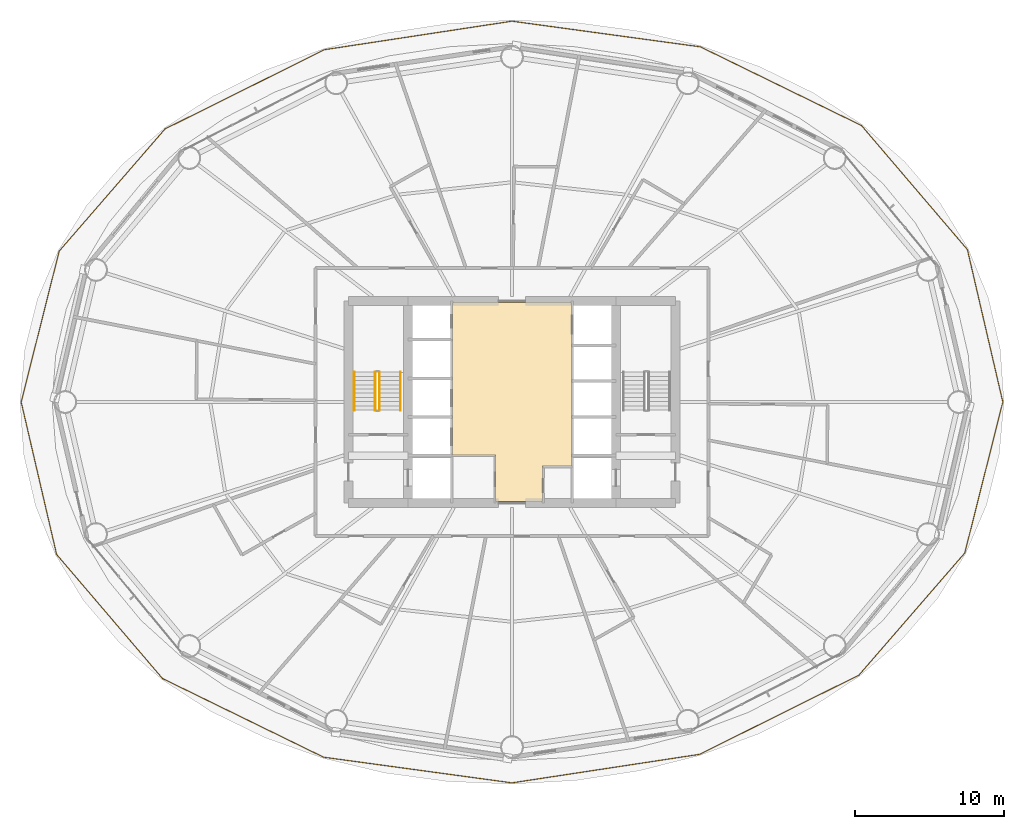
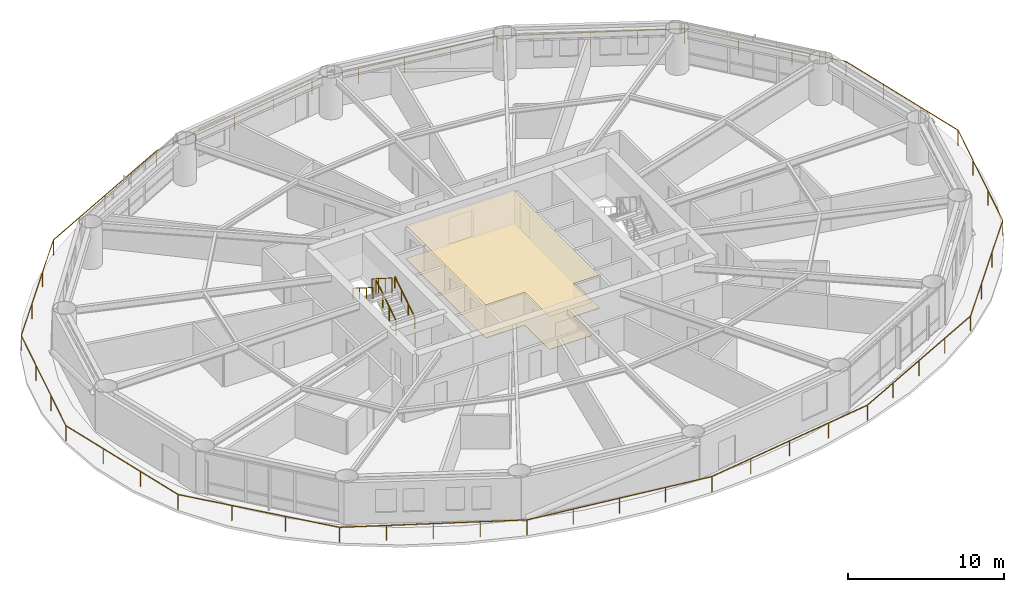
# One storey, part 26 of 27: 5 railings, 2 coverings.
"""IFC4 building model written with IfcOpenShell, lengths in metres."""

from ifc_helpers import new_model, si_unit, direction, frame, origin, origin_2d, place, context, subcontext, project, spatial, polyline, rectangle, outline, extrude, material, layer, layer_set, type_object, element, save


model = new_model("IFC4")

# Units and contexts
model_context = context("Model", 3, precision=1e-05, world=origin(), true_north=direction((0.0, 1.0)))
body_context = subcontext(model_context, "Body", "Model", "MODEL_VIEW")
ifc_project = project(units=[si_unit("LENGTHUNIT", "METRE"), si_unit("AREAUNIT", "SQUARE_METRE"), si_unit("VOLUMEUNIT", "CUBIC_METRE"), si_unit("PLANEANGLEUNIT", "RADIAN"), si_unit("MASSUNIT", "GRAM", prefix="KILO")], contexts=[model_context])

# Site, building, storey
site_placement = place(None, origin())
site = spatial("IfcSite", under=ifc_project, at=site_placement, CompositionType="ELEMENT")
building_placement = place(site_placement, origin())
building = spatial("IfcBuilding", under=site, at=building_placement, Name="Sarneth Arch Tower", CompositionType="ELEMENT")
storey_placement = place(building_placement, frame((0.0, 0.0, 75.0)))
storey = spatial("IfcBuildingStorey", under=building, at=storey_placement, Name="L18", CompositionType="ELEMENT", Elevation=75.0)

# Coverings
ifc_material_1 = material(Name="Perforated acoustic gypsum ceiling board")
ifc_layer_1 = layer(ifc_material_1, 0.02490234375)
ifc_layer_set_1 = layer_set([ifc_layer_1], Name="Perforated acoustic gypsum ceiling board")
covering_type_1 = type_object("IfcCoveringType", Name="COV-CEIL-GYP", PredefinedType="CEILING", material=ifc_layer_set_1)
covering_1_placement = place(storey_placement, frame((0.0, 0.0, 2.580078125)))
element("IfcCovering", 1, at=covering_1_placement, inside=storey, type_object=covering_type_1, Name="L18 Lift lobby acoustic ceiling", PredefinedType="CEILING", context=body_context, shape_type="SweptSolid", body=[
    extrude(outline(polyline([(52.0, 37.699951171875), (50.050048828125, 37.699951171875), (50.050048828125, 35.300048828125), (46.89990234375, 35.300048828125), (46.89990234375, 38.449951171875), (44.0, 38.449951171875), (44.0, 48.699951171875), (52.0, 48.699951171875), (52.0, 37.699951171875)])), origin(), (0.0, 0.0, 1.0), 0.030029296875),
])
ifc_material_2 = material(Name="Honed granite stone flooring", Category="masonry")
ifc_layer_2 = layer(ifc_material_2, 0.030029296875)
ifc_layer_set_2 = layer_set([ifc_layer_2], Name="Honed granite stone flooring")
covering_type_2 = type_object("IfcCoveringType", Name="COV-FLR-STONE", PredefinedType="FLOORING", material=ifc_layer_set_2)
covering_2_placement = place(storey_placement, origin())
element("IfcCovering", 2, at=covering_2_placement, inside=storey, type_object=covering_type_2, Name="L18 Lift lobby granite flooring", PredefinedType="FLOORING", context=body_context, shape_type="SweptSolid", body=[
    extrude(outline(polyline([(52.0, 37.699951171875), (50.050048828125, 37.699951171875), (50.050048828125, 35.300048828125), (46.89990234375, 35.300048828125), (46.89990234375, 38.449951171875), (44.0, 38.449951171875), (44.0, 48.699951171875), (52.0, 48.699951171875), (52.0, 37.699951171875)])), origin(), (0.0, 0.0, 1.0), 0.030029296875),
])

# Railings
ifc_material_3 = material(Name="Laminated structural glass infill with Stainless Steel 316 top rail and posts", Category="steel")
railing_type_1 = type_object("IfcRailingType", Name="RAIL-BALC-1200", PredefinedType="BALUSTRADE", material=ifc_material_3)
railing_1_placement = place(storey_placement, frame((80.996826171875, 42.0, 0.0)))
element("IfcRailing", 3, at=railing_1_placement, inside=storey, type_object=railing_type_1, Name="L18 Helical balcony glass balustrade", PredefinedType="BALUSTRADE", context=body_context, shape_type="SweptSolid", body=[
    extrude(rectangle(XDim=0.048095703125, YDim=0.048095703125, at=origin_2d()), frame((0.0, 0.0, 1.17578125), z_axis=(-0.226316877561, 0.974053731029, 0.0), x_axis=(-0.974053731029, -0.226316877561, 0.0)), (0.0, 0.0, 1.0), 10.52001953125),
    extrude(rectangle(XDim=0.048095703125, YDim=0.048095703125, at=origin_2d()), frame((-2.380859375, 10.2470703125, 1.17578125), z_axis=(-0.649307283669, 0.760526167449, 0.0), x_axis=(-0.760526167449, -0.649307283669, 0.0)), (0.0, 0.0, 1.0), 10.968994140625),
    extrude(rectangle(XDim=0.048095703125, YDim=0.048095703125, at=origin_2d()), frame((-9.503173828125, 18.58935546875, 1.17578125), z_axis=(-0.898542614375, 0.43888628385, 0.0), x_axis=(-0.43888628385, -0.898542614375, 0.0)), (0.0, 0.0, 1.0), 12.04833984375),
    extrude(rectangle(XDim=0.048095703125, YDim=0.048095703125, at=origin_2d()), frame((-20.3291015625, 23.877197265625, 1.17578125), z_axis=(-0.99084933183, 0.134972595783, 0.0), x_axis=(-0.134972595783, -0.99084933183, 0.0)), (0.0, 0.0, 1.0), 12.78466796875),
    extrude(rectangle(XDim=0.048095703125, YDim=0.048095703125, at=origin_2d()), frame((-32.996826171875, 25.602783203125, 1.17578125), z_axis=(-0.988628120376, -0.150380981517, 0.0), x_axis=(0.150380981517, -0.988628120376, 0.0)), (0.0, 0.0, 1.0), 12.75244140625),
    extrude(rectangle(XDim=0.048095703125, YDim=0.048095703125, at=origin_2d()), frame((-45.604248046875, 23.68505859375, 1.17578125), z_axis=(-0.895558861412, -0.444943058993, 0.0), x_axis=(0.444943058993, -0.895558861412, 0.0)), (0.0, 0.0, 1.0), 11.96435546875),
    extrude(rectangle(XDim=0.048095703125, YDim=0.048095703125, at=origin_2d()), frame((-56.319091796875, 18.361572265625, 1.17578125), z_axis=(-0.654921986006, -0.755696494795, 0.0), x_axis=(0.755696494795, -0.654921986006, 0.0)), (0.0, 0.0, 1.0), 10.867919921875),
    extrude(rectangle(XDim=0.048095703125, YDim=0.048095703125, at=origin_2d()), frame((-63.436767578125, 10.148681640625, 1.17578125), z_axis=(-0.244308104225, -0.969697659175, 0.0), x_axis=(0.969697659175, -0.244308104225, 0.0)), (0.0, 0.0, 1.0), 10.4658203125),
    extrude(rectangle(XDim=0.048095703125, YDim=0.048095703125, at=origin_2d()), frame((-65.99365234375, 0.0, 1.17578125), z_axis=(0.226316877561, -0.974053731029, 0.0), x_axis=(0.974053731029, 0.226316877561, 0.0)), (0.0, 0.0, 1.0), 10.52001953125),
    extrude(rectangle(XDim=0.048095703125, YDim=0.048095703125, at=origin_2d()), frame((-63.61279296875, -10.2470703125, 1.17578125), z_axis=(0.649307283669, -0.760526167449, 0.0), x_axis=(0.760526167449, 0.649307283669, 0.0)), (0.0, 0.0, 1.0), 10.968994140625),
    extrude(rectangle(XDim=0.048095703125, YDim=0.048095703125, at=origin_2d()), frame((-56.490478515625, -18.58935546875, 1.17578125), z_axis=(0.898542614375, -0.43888628385, 0.0), x_axis=(0.43888628385, 0.898542614375, 0.0)), (0.0, 0.0, 1.0), 12.04833984375),
    extrude(rectangle(XDim=0.048095703125, YDim=0.048095703125, at=origin_2d()), frame((-45.66455078125, -23.877197265625, 1.17578125), z_axis=(0.99084933183, -0.134972595783, 0.0), x_axis=(0.134972595783, 0.99084933183, 0.0)), (0.0, 0.0, 1.0), 12.78466796875),
    extrude(rectangle(XDim=0.048095703125, YDim=0.048095703125, at=origin_2d()), frame((-32.996826171875, -25.602783203125, 1.17578125), z_axis=(0.988628120376, 0.150380981517, 0.0), x_axis=(-0.150380981517, 0.988628120376, 0.0)), (0.0, 0.0, 1.0), 12.75244140625),
    extrude(rectangle(XDim=0.048095703125, YDim=0.048095703125, at=origin_2d()), frame((-20.389404296875, -23.68505859375, 1.17578125), z_axis=(0.895558861412, 0.444943058993, 0.0), x_axis=(-0.444943058993, 0.895558861412, 0.0)), (0.0, 0.0, 1.0), 11.96435546875),
    extrude(rectangle(XDim=0.048095703125, YDim=0.048095703125, at=origin_2d()), frame((-9.674560546875, -18.361572265625, 1.17578125), z_axis=(0.654921986006, 0.755696494795, 0.0), x_axis=(-0.755696494795, 0.654921986006, 0.0)), (0.0, 0.0, 1.0), 10.867919921875),
    extrude(rectangle(XDim=0.048095703125, YDim=0.048095703125, at=origin_2d()), frame((-2.556884765625, -10.148681640625, 1.17578125), z_axis=(0.244308104225, 0.969697659175, 0.0), x_axis=(-0.969697659175, 0.244308104225, 0.0)), (0.0, 0.0, 1.0), 10.4658203125),
    extrude(rectangle(XDim=0.0419921875, YDim=0.0419921875, at=origin_2d()), origin(), (0.0, 0.0, 1.0), 1.15185546875),
    extrude(rectangle(XDim=0.0419921875, YDim=0.0419921875, at=origin_2d()), frame((-0.793701171875, 3.415771484375, 0.0)), (0.0, 0.0, 1.0), 1.15185546875),
    extrude(rectangle(XDim=0.0419921875, YDim=0.0419921875, at=origin_2d()), frame((-1.587158203125, 6.831298828125, 0.0)), (0.0, 0.0, 1.0), 1.15185546875),
    extrude(rectangle(XDim=0.0419921875, YDim=0.0419921875, at=origin_2d()), frame((-2.380859375, 10.2470703125, 0.0)), (0.0, 0.0, 1.0), 1.15185546875),
    extrude(rectangle(XDim=0.0419921875, YDim=0.0419921875, at=origin_2d()), frame((-4.7548828125, 13.02783203125, 0.0)), (0.0, 0.0, 1.0), 1.15185546875),
    extrude(rectangle(XDim=0.0419921875, YDim=0.0419921875, at=origin_2d()), frame((-7.129150390625, 15.80859375, 0.0)), (0.0, 0.0, 1.0), 1.15185546875),
    extrude(rectangle(XDim=0.0419921875, YDim=0.0419921875, at=origin_2d()), frame((-9.503173828125, 18.58935546875, 0.0)), (0.0, 0.0, 1.0), 1.15185546875),
    extrude(rectangle(XDim=0.0419921875, YDim=0.0419921875, at=origin_2d()), frame((-12.209716796875, 19.911376953125, 0.0)), (0.0, 0.0, 1.0), 1.15185546875),
    extrude(rectangle(XDim=0.0419921875, YDim=0.0419921875, at=origin_2d()), frame((-14.916015625, 21.2333984375, 0.0)), (0.0, 0.0, 1.0), 1.15185546875),
    extrude(rectangle(XDim=0.0419921875, YDim=0.0419921875, at=origin_2d()), frame((-17.62255859375, 22.55517578125, 0.0)), (0.0, 0.0, 1.0), 1.15185546875),
    extrude(rectangle(XDim=0.0419921875, YDim=0.0419921875, at=origin_2d()), frame((-20.3291015625, 23.877197265625, 0.0)), (0.0, 0.0, 1.0), 1.15185546875),
    extrude(rectangle(XDim=0.0419921875, YDim=0.0419921875, at=origin_2d()), frame((-23.49609375, 24.30859375, 0.0)), (0.0, 0.0, 1.0), 1.15185546875),
    extrude(rectangle(XDim=0.0419921875, YDim=0.0419921875, at=origin_2d()), frame((-26.6630859375, 24.739990234375, 0.0)), (0.0, 0.0, 1.0), 1.15185546875),
    extrude(rectangle(XDim=0.0419921875, YDim=0.0419921875, at=origin_2d()), frame((-29.829833984375, 25.17138671875, 0.0)), (0.0, 0.0, 1.0), 1.15185546875),
    extrude(rectangle(XDim=0.0419921875, YDim=0.0419921875, at=origin_2d()), frame((-32.996826171875, 25.602783203125, 0.0)), (0.0, 0.0, 1.0), 1.15185546875),
    extrude(rectangle(XDim=0.0419921875, YDim=0.0419921875, at=origin_2d()), frame((-36.148681640625, 25.123291015625, 0.0)), (0.0, 0.0, 1.0), 1.15185546875),
    extrude(rectangle(XDim=0.0419921875, YDim=0.0419921875, at=origin_2d()), frame((-39.300537109375, 24.64404296875, 0.0)), (0.0, 0.0, 1.0), 1.15185546875),
    extrude(rectangle(XDim=0.0419921875, YDim=0.0419921875, at=origin_2d()), frame((-42.452392578125, 24.16455078125, 0.0)), (0.0, 0.0, 1.0), 1.15185546875),
    extrude(rectangle(XDim=0.0419921875, YDim=0.0419921875, at=origin_2d()), frame((-45.604248046875, 23.68505859375, 0.0)), (0.0, 0.0, 1.0), 1.15185546875),
    extrude(rectangle(XDim=0.0419921875, YDim=0.0419921875, at=origin_2d()), frame((-48.282958984375, 22.354248046875, 0.0)), (0.0, 0.0, 1.0), 1.15185546875),
    extrude(rectangle(XDim=0.0419921875, YDim=0.0419921875, at=origin_2d()), frame((-50.961669921875, 21.0234375, 0.0)), (0.0, 0.0, 1.0), 1.15185546875),
    extrude(rectangle(XDim=0.0419921875, YDim=0.0419921875, at=origin_2d()), frame((-53.640380859375, 19.6923828125, 0.0)), (0.0, 0.0, 1.0), 1.15185546875),
    extrude(rectangle(XDim=0.0419921875, YDim=0.0419921875, at=origin_2d()), frame((-56.319091796875, 18.361572265625, 0.0)), (0.0, 0.0, 1.0), 1.15185546875),
    extrude(rectangle(XDim=0.0419921875, YDim=0.0419921875, at=origin_2d()), frame((-58.691650390625, 15.6240234375, 0.0)), (0.0, 0.0, 1.0), 1.15185546875),
    extrude(rectangle(XDim=0.0419921875, YDim=0.0419921875, at=origin_2d()), frame((-61.064208984375, 12.88623046875, 0.0)), (0.0, 0.0, 1.0), 1.15185546875),
    extrude(rectangle(XDim=0.0419921875, YDim=0.0419921875, at=origin_2d()), frame((-63.436767578125, 10.148681640625, 0.0)), (0.0, 0.0, 1.0), 1.15185546875),
    extrude(rectangle(XDim=0.0419921875, YDim=0.0419921875, at=origin_2d()), frame((-64.2890625, 6.765869140625, 0.0)), (0.0, 0.0, 1.0), 1.15185546875),
    extrude(rectangle(XDim=0.0419921875, YDim=0.0419921875, at=origin_2d()), frame((-65.141357421875, 3.3828125, 0.0)), (0.0, 0.0, 1.0), 1.15185546875),
    extrude(rectangle(XDim=0.0419921875, YDim=0.0419921875, at=origin_2d()), frame((-65.99365234375, 0.0, 0.0)), (0.0, 0.0, 1.0), 1.15185546875),
    extrude(rectangle(XDim=0.0419921875, YDim=0.0419921875, at=origin_2d()), frame((-65.199951171875, -3.415771484375, 0.0)), (0.0, 0.0, 1.0), 1.15185546875),
    extrude(rectangle(XDim=0.0419921875, YDim=0.0419921875, at=origin_2d()), frame((-64.406494140625, -6.831298828125, 0.0)), (0.0, 0.0, 1.0), 1.15185546875),
    extrude(rectangle(XDim=0.0419921875, YDim=0.0419921875, at=origin_2d()), frame((-63.61279296875, -10.2470703125, 0.0)), (0.0, 0.0, 1.0), 1.15185546875),
    extrude(rectangle(XDim=0.0419921875, YDim=0.0419921875, at=origin_2d()), frame((-61.23876953125, -13.02783203125, 0.0)), (0.0, 0.0, 1.0), 1.15185546875),
    extrude(rectangle(XDim=0.0419921875, YDim=0.0419921875, at=origin_2d()), frame((-58.864501953125, -15.80859375, 0.0)), (0.0, 0.0, 1.0), 1.15185546875),
    extrude(rectangle(XDim=0.0419921875, YDim=0.0419921875, at=origin_2d()), frame((-56.490478515625, -18.58935546875, 0.0)), (0.0, 0.0, 1.0), 1.15185546875),
    extrude(rectangle(XDim=0.0419921875, YDim=0.0419921875, at=origin_2d()), frame((-53.783935546875, -19.911376953125, 0.0)), (0.0, 0.0, 1.0), 1.15185546875),
    extrude(rectangle(XDim=0.0419921875, YDim=0.0419921875, at=origin_2d()), frame((-51.07763671875, -21.2333984375, 0.0)), (0.0, 0.0, 1.0), 1.15185546875),
    extrude(rectangle(XDim=0.0419921875, YDim=0.0419921875, at=origin_2d()), frame((-48.37109375, -22.55517578125, 0.0)), (0.0, 0.0, 1.0), 1.15185546875),
    extrude(rectangle(XDim=0.0419921875, YDim=0.0419921875, at=origin_2d()), frame((-45.66455078125, -23.877197265625, 0.0)), (0.0, 0.0, 1.0), 1.15185546875),
    extrude(rectangle(XDim=0.0419921875, YDim=0.0419921875, at=origin_2d()), frame((-42.49755859375, -24.30859375, 0.0)), (0.0, 0.0, 1.0), 1.15185546875),
    extrude(rectangle(XDim=0.0419921875, YDim=0.0419921875, at=origin_2d()), frame((-39.33056640625, -24.739990234375, 0.0)), (0.0, 0.0, 1.0), 1.15185546875),
    extrude(rectangle(XDim=0.0419921875, YDim=0.0419921875, at=origin_2d()), frame((-36.163818359375, -25.17138671875, 0.0)), (0.0, 0.0, 1.0), 1.15185546875),
    extrude(rectangle(XDim=0.0419921875, YDim=0.0419921875, at=origin_2d()), frame((-32.996826171875, -25.602783203125, 0.0)), (0.0, 0.0, 1.0), 1.15185546875),
    extrude(rectangle(XDim=0.0419921875, YDim=0.0419921875, at=origin_2d()), frame((-29.844970703125, -25.123291015625, 0.0)), (0.0, 0.0, 1.0), 1.15185546875),
    extrude(rectangle(XDim=0.0419921875, YDim=0.0419921875, at=origin_2d()), frame((-26.693115234375, -24.64404296875, 0.0)), (0.0, 0.0, 1.0), 1.15185546875),
    extrude(rectangle(XDim=0.0419921875, YDim=0.0419921875, at=origin_2d()), frame((-23.541259765625, -24.16455078125, 0.0)), (0.0, 0.0, 1.0), 1.15185546875),
    extrude(rectangle(XDim=0.0419921875, YDim=0.0419921875, at=origin_2d()), frame((-20.389404296875, -23.68505859375, 0.0)), (0.0, 0.0, 1.0), 1.15185546875),
    extrude(rectangle(XDim=0.0419921875, YDim=0.0419921875, at=origin_2d()), frame((-17.710693359375, -22.354248046875, 0.0)), (0.0, 0.0, 1.0), 1.15185546875),
    extrude(rectangle(XDim=0.0419921875, YDim=0.0419921875, at=origin_2d()), frame((-15.031982421875, -21.0234375, 0.0)), (0.0, 0.0, 1.0), 1.15185546875),
    extrude(rectangle(XDim=0.0419921875, YDim=0.0419921875, at=origin_2d()), frame((-12.353271484375, -19.6923828125, 0.0)), (0.0, 0.0, 1.0), 1.15185546875),
    extrude(rectangle(XDim=0.0419921875, YDim=0.0419921875, at=origin_2d()), frame((-9.674560546875, -18.361572265625, 0.0)), (0.0, 0.0, 1.0), 1.15185546875),
    extrude(rectangle(XDim=0.0419921875, YDim=0.0419921875, at=origin_2d()), frame((-7.302001953125, -15.6240234375, 0.0)), (0.0, 0.0, 1.0), 1.15185546875),
    extrude(rectangle(XDim=0.0419921875, YDim=0.0419921875, at=origin_2d()), frame((-4.929443359375, -12.88623046875, 0.0)), (0.0, 0.0, 1.0), 1.15185546875),
    extrude(rectangle(XDim=0.0419921875, YDim=0.0419921875, at=origin_2d()), frame((-2.556884765625, -10.148681640625, 0.0)), (0.0, 0.0, 1.0), 1.15185546875),
    extrude(rectangle(XDim=0.0419921875, YDim=0.0419921875, at=origin_2d()), frame((-1.70458984375, -6.765869140625, 0.0)), (0.0, 0.0, 1.0), 1.15185546875),
    extrude(rectangle(XDim=0.0419921875, YDim=0.0419921875, at=origin_2d()), frame((-0.852294921875, -3.3828125, 0.0)), (0.0, 0.0, 1.0), 1.15185546875),
])
ifc_material_4 = material(Name="Brushed Stainless Steel 304 tubular handrail", Category="steel")
railing_type_2 = type_object("IfcRailingType", Name="RAIL-HANDRAIL-900", PredefinedType="HANDRAIL", material=ifc_material_4)
railing_2_placement = place(storey_placement, frame((40.5, 41.449951171875, 0.179931640625)))
element("IfcRailing", 4, at=railing_2_placement, inside=storey, type_object=railing_type_2, Name="L18 ST-1 stair handrail 1", PredefinedType="HANDRAIL", context=body_context, shape_type="SweptSolid", body=[
    extrude(rectangle(XDim=0.048095703125, YDim=0.048095703125, at=origin_2d()), frame((0.0, 0.0, 0.8759765625), z_axis=(0.0, 0.845465955043, 0.534029323973), x_axis=(-1.0, 0.0, 0.0)), (0.0, 0.0, 1.0), 3.03369140625),
    extrude(rectangle(XDim=0.0419921875, YDim=0.0419921875, at=origin_2d()), origin(), (0.0, 0.0, 1.0), 0.851806640625),
    extrude(rectangle(XDim=0.0419921875, YDim=0.0419921875, at=origin_2d()), frame((0.0, 0.85498046875, 0.5400390625)), (0.0, 0.0, 1.0), 0.851806640625),
    extrude(rectangle(XDim=0.0419921875, YDim=0.0419921875, at=origin_2d()), frame((0.0, 1.7099609375, 1.080078125)), (0.0, 0.0, 1.0), 0.851806640625),
    extrude(rectangle(XDim=0.0419921875, YDim=0.0419921875, at=origin_2d()), frame((0.0, 2.56494140625, 1.6201171875)), (0.0, 0.0, 1.0), 0.851806640625),
])
railing_3_placement = place(storey_placement, frame((37.39990234375, 44.014892578125, 1.97998046875)))
element("IfcRailing", 5, at=railing_3_placement, inside=storey, type_object=railing_type_2, Name="L18 ST-1 stair handrail 2", PredefinedType="HANDRAIL", context=body_context, shape_type="SweptSolid", body=[
    extrude(rectangle(XDim=0.048095703125, YDim=0.048095703125, at=origin_2d()), frame((0.0, 0.0, 0.8759765625), z_axis=(0.0, -0.845465955043, 0.534029323973), x_axis=(1.0, 0.0, 0.0)), (0.0, 0.0, 1.0), 3.03369140625),
    extrude(rectangle(XDim=0.0419921875, YDim=0.0419921875, at=origin_2d()), origin(), (0.0, 0.0, 1.0), 0.851806640625),
    extrude(rectangle(XDim=0.0419921875, YDim=0.0419921875, at=origin_2d()), frame((0.0, -0.85498046875, 0.5400390625)), (0.0, 0.0, 1.0), 0.851806640625),
    extrude(rectangle(XDim=0.0419921875, YDim=0.0419921875, at=origin_2d()), frame((0.0, -1.7099609375, 1.080078125)), (0.0, 0.0, 1.0), 0.851806640625),
    extrude(rectangle(XDim=0.0419921875, YDim=0.0419921875, at=origin_2d()), frame((0.0, -2.56494140625, 1.6201171875)), (0.0, 0.0, 1.0), 0.851806640625),
])
ifc_material_5 = material(Name="Painted Steel S275 stair well guard", Category="steel")
railing_type_3 = type_object("IfcRailingType", Name="RAIL-STAIR-GUARD", PredefinedType="GUARDRAIL", material=ifc_material_5)
railing_4_placement = place(storey_placement, frame((39.10009765625, 41.449951171875, 0.179931640625)))
element("IfcRailing", 6, at=railing_4_placement, inside=storey, type_object=railing_type_3, Name="L18 ST-1 stair guard 1", PredefinedType="GUARDRAIL", context=body_context, shape_type="SweptSolid", body=[
    extrude(rectangle(XDim=0.048095703125, YDim=0.048095703125, at=origin_2d()), frame((0.0, 0.0, 1.1259765625), z_axis=(0.0, 0.845465955043, 0.534029323973), x_axis=(-1.0, 0.0, 0.0)), (0.0, 0.0, 1.0), 3.03369140625),
    extrude(rectangle(XDim=0.0419921875, YDim=0.0419921875, at=origin_2d()), origin(), (0.0, 0.0, 1.0), 1.101806640625),
    extrude(rectangle(XDim=0.0419921875, YDim=0.0419921875, at=origin_2d()), frame((0.0, 0.85498046875, 0.5400390625)), (0.0, 0.0, 1.0), 1.101806640625),
    extrude(rectangle(XDim=0.0419921875, YDim=0.0419921875, at=origin_2d()), frame((0.0, 1.7099609375, 1.080078125)), (0.0, 0.0, 1.0), 1.101806640625),
    extrude(rectangle(XDim=0.0419921875, YDim=0.0419921875, at=origin_2d()), frame((0.0, 2.56494140625, 1.6201171875)), (0.0, 0.0, 1.0), 1.101806640625),
])
railing_5_placement = place(storey_placement, frame((38.800048828125, 44.014892578125, 1.97998046875)))
element("IfcRailing", 7, at=railing_5_placement, inside=storey, type_object=railing_type_3, Name="L18 ST-1 stair guard 3", PredefinedType="GUARDRAIL", context=body_context, shape_type="SweptSolid", body=[
    extrude(rectangle(XDim=0.048095703125, YDim=0.048095703125, at=origin_2d()), frame((0.0, 0.0, 1.1259765625), z_axis=(0.0, -0.845465955043, 0.534029323973), x_axis=(1.0, 0.0, 0.0)), (0.0, 0.0, 1.0), 3.03369140625),
    extrude(rectangle(XDim=0.0419921875, YDim=0.0419921875, at=origin_2d()), origin(), (0.0, 0.0, 1.0), 1.101806640625),
    extrude(rectangle(XDim=0.0419921875, YDim=0.0419921875, at=origin_2d()), frame((0.0, -0.85498046875, 0.5400390625)), (0.0, 0.0, 1.0), 1.101806640625),
    extrude(rectangle(XDim=0.0419921875, YDim=0.0419921875, at=origin_2d()), frame((0.0, -1.7099609375, 1.080078125)), (0.0, 0.0, 1.0), 1.101806640625),
    extrude(rectangle(XDim=0.0419921875, YDim=0.0419921875, at=origin_2d()), frame((0.0, -2.56494140625, 1.6201171875)), (0.0, 0.0, 1.0), 1.101806640625),
])

save(model, "model.ifc")
